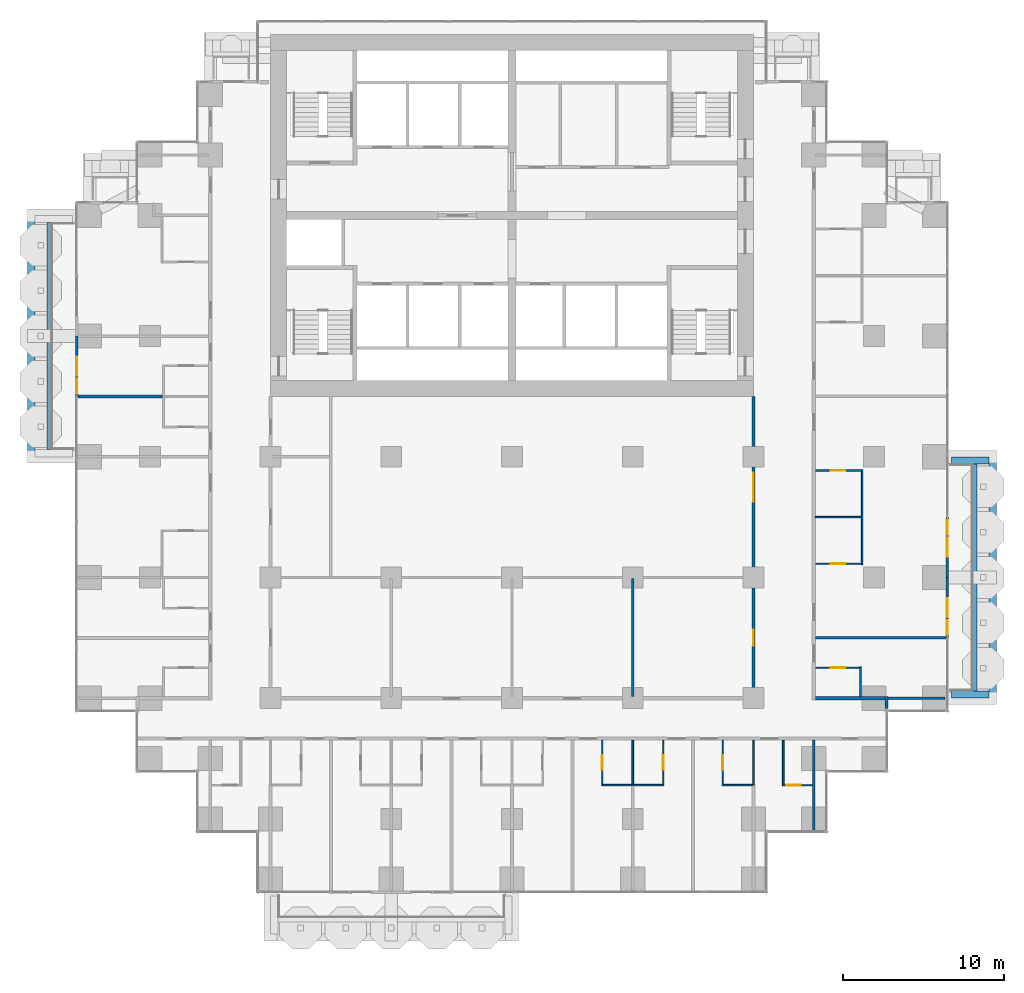
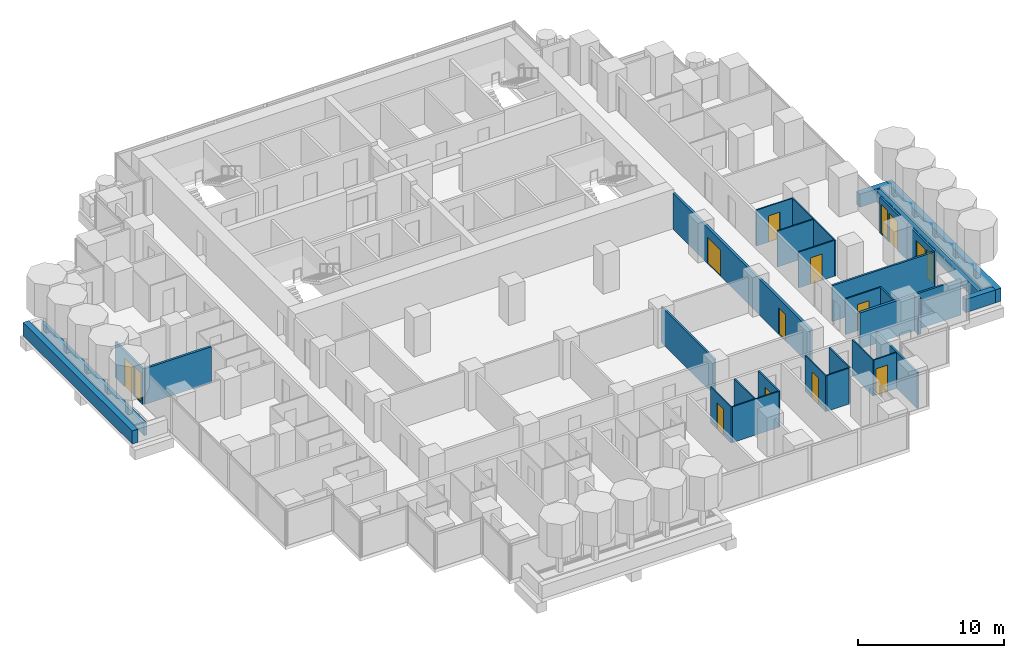
# One storey, part 12 of 19: 32 walls, 12 doors, 3 windows, 15 openings.
"""IFC4 building model written with IfcOpenShell, lengths in metres."""

from ifc_helpers import new_model, si_unit, direction, frame, frame_2d, origin, place, context, subcontext, project, spatial, rectangle, extrude, material, layer, layer_set, type_object, element, fill, save


model = new_model("IFC4")

# Units and contexts
model_context = context("Model", 3, precision=1e-05, world=origin(), true_north=direction((0.0, 1.0)))
body_context = subcontext(model_context, "Body", "Model", "MODEL_VIEW")
ifc_project = project(units=[si_unit("LENGTHUNIT", "METRE"), si_unit("AREAUNIT", "SQUARE_METRE"), si_unit("VOLUMEUNIT", "CUBIC_METRE"), si_unit("PLANEANGLEUNIT", "RADIAN"), si_unit("MASSUNIT", "GRAM", prefix="KILO")], contexts=[model_context])

# Site, building, storey
site_placement = place(None, origin())
site = spatial("IfcSite", under=ifc_project, at=site_placement, CompositionType="ELEMENT")
building_placement = place(site_placement, origin())
building = spatial("IfcBuilding", under=site, at=building_placement, Name="Pilkhan Gate Tower", CompositionType="ELEMENT")
storey_placement = place(building_placement, frame((0.0, 0.0, 89.0)))
storey = spatial("IfcBuildingStorey", under=building, at=storey_placement, Name="L21", CompositionType="ELEMENT", Elevation=89.0)

# Walls
ifc_material_1 = material(Name="Dense blockwork", Category="masonry")
ifc_layer_1 = layer(ifc_material_1, 0.175048828125)
ifc_layer_set_1 = layer_set([ifc_layer_1], Name="Acoustic party wall PW175")
wall_type_1 = type_object("IfcWallType", Name="Acoustic party wall PW175", PredefinedType="PARTITIONING", material=ifc_layer_set_1)
wall_1_placement = place(storey_placement, frame((48.0400390625, 71.25, 0.0), z_axis=(0.0, 0.0, 1.0), x_axis=(1.0, 0.0, 0.0)))
element("IfcWall", 1, at=wall_1_placement, inside=storey, type_object=wall_type_1, Name="Partition L21", PredefinedType="PARTITIONING", context=body_context, shape_type="SweptSolid", body=[
    extrude(rectangle(XDim=5.260009765625, YDim=0.175048828125, at=frame_2d((2.6298828125, 0.0))), origin(), (0.0, 0.0, 1.0), 3.0),
])
ifc_material_2 = material(Name="Concrete C40/50", Category="concrete")
ifc_layer_2 = layer(ifc_material_2, 0.25)
ifc_layer_set_2 = layer_set([ifc_layer_2], Name="Balcony planter BP250")
wall_type_2 = type_object("IfcWallType", Name="Balcony planter BP250", PredefinedType="USERDEFINED", material=ifc_layer_set_2)
for number, where, z_axis, x_axis, name in (
    (2, (103.77490234375, 52.949951171875, 0.0), (0.0, 0.0, 1.0), (0.0, 1.0, 0.0), "Balcony planter L21 E"),
    (3, (46.22509765625, 67.949951171875, 0.0), (0.0, 0.0, 1.0), (0.0, 1.0, 0.0), "Balcony planter L21 W"),
):
    element("IfcWall", number, at=place(storey_placement, frame(where, z_axis=z_axis, x_axis=x_axis)), inside=storey, type_object=wall_type_2, Name=name, ObjectType="BALCONY PLANTER", PredefinedType="USERDEFINED", context=body_context, shape_type="SweptSolid", body=[
        extrude(rectangle(XDim=14.10009765625, YDim=0.25, at=frame_2d((7.050048828125, 0.0))), origin(), (0.0, 0.0, 1.0), 1.0),
    ])
ifc_material_3 = material(Name="Board-marked Concrete C40/50", Category="concrete")
ifc_layer_3 = layer(ifc_material_3, 0.449951171875)
ifc_layer_set_3 = layer_set([ifc_layer_3], Name="Balcony planter lip BL450")
wall_type_3 = type_object("IfcWallType", Name="Balcony planter lip BL450", PredefinedType="USERDEFINED", material=ifc_layer_set_3)
wall_2_placement = place(storey_placement, frame((104.875, 52.5, 0.0), z_axis=(0.0, 0.0, 1.0), x_axis=(0.0, 1.0, 0.0)))
element("IfcWall", 4, at=wall_2_placement, inside=storey, type_object=wall_type_3, Name="Balcony planter L21 E", ObjectType="BALCONY PLANTER", PredefinedType="USERDEFINED", context=body_context, shape_type="SweptSolid", body=[
    extrude(rectangle(XDim=15.0, YDim=0.449951171875, at=frame_2d((7.5, 0.0))), origin(), (0.0, 0.0, 1.0), 1.10009765625),
])
for number, where, z_axis, x_axis, name in (
    (5, (102.300048828125, 52.72509765625, 0.0), (0.0, 0.0, 1.0), (1.0, 0.0, 0.0), "Balcony planter L21 E"),
    (6, (102.300048828125, 67.27490234375, 0.0), (0.0, 0.0, 1.0), (1.0, 0.0, 0.0), "Balcony planter L21 E"),
):
    element("IfcWall", number, at=place(storey_placement, frame(where, z_axis=z_axis, x_axis=x_axis)), inside=storey, type_object=wall_type_3, Name=name, ObjectType="BALCONY PLANTER", PredefinedType="USERDEFINED", context=body_context, shape_type="SweptSolid", body=[
        extrude(rectangle(XDim=2.349853515625, YDim=0.449951171875, at=frame_2d((1.1748046875, 0.0))), origin(), (0.0, 0.0, 1.0), 1.10009765625),
    ])
wall_3_placement = place(storey_placement, frame((45.125, 67.5, 0.0), z_axis=(0.0, 0.0, 1.0), x_axis=(0.0, 1.0, 0.0)))
element("IfcWall", 7, at=wall_3_placement, inside=storey, type_object=wall_type_3, Name="Balcony planter L21 W", ObjectType="BALCONY PLANTER", PredefinedType="USERDEFINED", context=body_context, shape_type="SweptSolid", body=[
    extrude(rectangle(XDim=15.0, YDim=0.449951171875, at=frame_2d((7.5, 0.0))), origin(), (0.0, 0.0, 1.0), 1.10009765625),
])
ifc_layer_4 = layer(ifc_material_1, 0.199951171875)
ifc_layer_set_4 = layer_set([ifc_layer_4], Name="Corridor wall FW200")
wall_type_4 = type_object("IfcWallType", Name="Corridor wall FW200", PredefinedType="PARTITIONING", material=ifc_layer_set_4)
wall_4_placement = place(storey_placement, frame((93.85009765625, 52.5, 0.0), z_axis=(0.0, 0.0, 1.0), x_axis=(1.0, 0.0, 0.0)))
element("IfcWall", 8, at=wall_4_placement, inside=storey, type_object=wall_type_4, Name="Partition L21", PredefinedType="PARTITIONING", context=body_context, shape_type="SweptSolid", body=[
    extrude(rectangle(XDim=4.31494140625, YDim=0.199951171875, at=frame_2d((2.157470703125, 0.0))), origin(), (0.0, 0.0, 1.0), 3.0),
])

# Wall, openings, doors
wall_5_placement = place(storey_placement, frame((90.0, 52.39990234375, 0.0), z_axis=(0.0, 0.0, 1.0), x_axis=(0.0, 1.0, 0.0)))
wall_5 = element("IfcWall", 9, at=wall_5_placement, inside=storey, type_object=wall_type_4, Name="Partition L21", PredefinedType="PARTITIONING", context=body_context, shape_type="SweptSolid", body=[
    extrude(rectangle(XDim=18.840087890625, YDim=0.199951171875, at=frame_2d((9.419921875, 0.0))), origin(), (0.0, 0.0, 1.0), 3.0),
])
opening_1_placement = place(wall_5_placement, frame((3.35009765625, 0.0, 0.0)))
opening_1 = element("IfcOpeningElement", 10, at=opening_1_placement, cuts=wall_5, Name="Opening L21-62", PredefinedType="OPENING", context=body_context, shape_type="SweptSolid", body=[
    extrude(rectangle(XDim=1.0, YDim=2.199951171875, at=frame_2d((0.5, 1.10009765625))), frame((0.0, 0.10986328125, 0.0), z_axis=(0.0, -1.0, 0.0), x_axis=(1.0, 0.0, 0.0)), (0.0, 0.0, 1.0), 0.219970703125),
])
opening_2_placement = place(wall_5_placement, frame((12.300048828125, 0.0, 0.0)))
opening_2 = element("IfcOpeningElement", 11, at=opening_2_placement, cuts=wall_5, Name="Opening L21-65", PredefinedType="OPENING", context=body_context, shape_type="SweptSolid", body=[
    extrude(rectangle(XDim=1.800048828125, YDim=2.199951171875, at=frame_2d((0.89990234375, 1.10009765625))), frame((0.0, 0.10986328125, 0.0), z_axis=(0.0, -1.0, 0.0), x_axis=(1.0, 0.0, 0.0)), (0.0, 0.0, 1.0), 0.219970703125),
])
ifc_material_4 = material(Name="Timber glazed double door, 30 minute fire resisting", Category="wood")
door_type_1 = type_object("IfcDoorType", Name="Double door D04 1800x2200", OperationType="DOUBLE_DOOR_SINGLE_SWING", PredefinedType="DOOR", material=ifc_material_4)
door_1_placement = place(opening_2_placement, origin())
door_1 = element("IfcDoor", 12, at=door_1_placement, inside=storey, type_object=door_type_1, Name="Double door", OperationType="DOUBLE_DOOR_SINGLE_SWING", OverallHeight=2.199951171875, OverallWidth=1.800048828125, PredefinedType="DOOR", context=body_context, shape_type="SweptSolid", body=[
    extrude(rectangle(XDim=1.800048828125, YDim=2.199951171875, at=frame_2d((0.89990234375, 1.10009765625))), frame((0.0, 0.02490234375, 0.0), z_axis=(0.0, -1.0, 0.0), x_axis=(1.0, 0.0, 0.0)), (0.0, 0.0, 1.0), 0.050048828125),
])
fill(opening_2, door_1)
ifc_material_5 = material(Name="Timber flush door, 30 minute fire resisting", Category="wood")
door_type_2 = type_object("IfcDoorType", Name="Room door D03 1000x2200", OperationType="SINGLE_SWING_LEFT", PredefinedType="DOOR", material=ifc_material_5)
door_2_placement = place(opening_1_placement, origin())
door_2 = element("IfcDoor", 13, at=door_2_placement, inside=storey, type_object=door_type_2, Name="Room door", OperationType="SINGLE_SWING_RIGHT", OverallHeight=2.199951171875, OverallWidth=1.0, PredefinedType="DOOR", context=body_context, shape_type="SweptSolid", body=[
    extrude(rectangle(XDim=1.0, YDim=2.199951171875, at=frame_2d((0.5, 1.10009765625))), frame((0.0, 0.02490234375, 0.0), z_axis=(0.0, -1.0, 0.0), x_axis=(1.0, 0.0, 0.0)), (0.0, 0.0, 1.0), 0.050048828125),
])
fill(opening_1, door_2)

# Wall
wall_6_placement = place(storey_placement, frame((98.264892578125, 51.85498046875, 0.0), z_axis=(0.0, 0.0, 1.0), x_axis=(0.0, 1.0, 0.0)))
element("IfcWall", 14, at=wall_6_placement, inside=storey, type_object=wall_type_4, Name="Partition L21", PredefinedType="PARTITIONING", context=body_context, shape_type="SweptSolid", body=[
    extrude(rectangle(XDim=0.7451171875, YDim=0.199951171875, at=frame_2d((0.37255859375, 0.0))), origin(), (0.0, 0.0, 1.0), 3.0),
])

# Wall, openings, door, window
ifc_material_6 = material(Name="Pale anodised aluminium, clear laminated glazing", Category="aluminium")
ifc_layer_5 = layer(ifc_material_6, 0.14990234375)
ifc_layer_set_5 = layer_set([ifc_layer_5], Name="Facade infill wall IW150")
wall_type_5 = type_object("IfcWallType", Name="Facade infill wall IW150", PredefinedType="SOLIDWALL", material=ifc_layer_set_5)
wall_7_placement = place(storey_placement, frame((102.044921875, 56.25, 0.0), z_axis=(0.0, 0.0, 1.0), x_axis=(0.0, 1.0, 0.0)))
wall_7 = element("IfcWall", 15, at=wall_7_placement, inside=storey, type_object=wall_type_5, Name="Infill wall L21 E", PredefinedType="SOLIDWALL", context=body_context, shape_type="SweptSolid", body=[
    extrude(rectangle(XDim=3.75, YDim=0.14990234375, at=frame_2d((1.875, 0.0))), origin(), (0.0, 0.0, 1.0), 3.0),
])
opening_3_placement = place(wall_7_placement, frame((0.1875, 0.0, 0.10009765625)))
opening_3 = element("IfcOpeningElement", 16, at=opening_3_placement, cuts=wall_7, Name="Opening W1", PredefinedType="OPENING", context=body_context, shape_type="SweptSolid", body=[
    extrude(rectangle(XDim=0.89990234375, YDim=2.39990234375, at=frame_2d((0.449951171875, 1.199951171875))), frame((0.0, 0.0849609375, 0.0), z_axis=(0.0, -1.0, 0.0), x_axis=(1.0, 0.0, 0.0)), (0.0, 0.0, 1.0), 0.169921875),
])
opening_4_placement = place(wall_7_placement, frame((1.27490234375, 0.0, 0.0)))
opening_4 = element("IfcOpeningElement", 17, at=opening_4_placement, cuts=wall_7, Name="Opening D1", PredefinedType="OPENING", context=body_context, shape_type="SweptSolid", body=[
    extrude(rectangle(XDim=1.199951171875, YDim=2.39990234375, at=frame_2d((0.60009765625, 1.199951171875))), frame((0.0, 0.0849609375, 0.0), z_axis=(0.0, -1.0, 0.0), x_axis=(1.0, 0.0, 0.0)), (0.0, 0.0, 1.0), 0.169921875),
])
ifc_material_7 = material(Name="Pale anodised aluminium, clear glazing", Category="aluminium")
door_type_3 = type_object("IfcDoorType", Name="Balcony door D1 1200x2400", OperationType="SINGLE_SWING_LEFT", PredefinedType="DOOR", material=ifc_material_7)
door_3_placement = place(opening_4_placement, origin())
door_3 = element("IfcDoor", 18, at=door_3_placement, inside=storey, type_object=door_type_3, Name="Balcony door L21", OperationType="SINGLE_SWING_LEFT", OverallHeight=2.39990234375, OverallWidth=1.199951171875, PredefinedType="DOOR", context=body_context, shape_type="SweptSolid", body=[
    extrude(rectangle(XDim=1.199951171875, YDim=2.39990234375, at=frame_2d((0.60009765625, 1.199951171875))), frame((0.0, 0.02490234375, 0.0), z_axis=(0.0, -1.0, 0.0), x_axis=(1.0, 0.0, 0.0)), (0.0, 0.0, 1.0), 0.050048828125),
])
fill(opening_4, door_3)
ifc_material_8 = material(Name="Pale anodised aluminium, clear double glazing", Category="aluminium")
window_type = type_object("IfcWindowType", Name="Window W1 900x2400", PartitioningType="SINGLE_PANEL", PredefinedType="WINDOW", material=ifc_material_8)
window_1_placement = place(opening_3_placement, origin())
window_1 = element("IfcWindow", 19, at=window_1_placement, inside=storey, type_object=window_type, Name="Window L21", OverallHeight=2.39990234375, OverallWidth=0.89990234375, PartitioningType="SINGLE_PANEL", PredefinedType="WINDOW", context=body_context, shape_type="SweptSolid", body=[
    extrude(rectangle(XDim=0.89990234375, YDim=2.39990234375, at=frame_2d((0.449951171875, 1.199951171875))), frame((0.0, 0.030029296875, 0.0), z_axis=(0.0, -1.0, 0.0), x_axis=(1.0, 0.0, 0.0)), (0.0, 0.0, 1.0), 0.06005859375),
])
fill(opening_3, window_1)

wall_8_placement = place(storey_placement, frame((102.044921875, 60.0, 0.0), z_axis=(0.0, 0.0, 1.0), x_axis=(0.0, 1.0, 0.0)))
wall_8 = element("IfcWall", 20, at=wall_8_placement, inside=storey, type_object=wall_type_5, Name="Infill wall L21 E", PredefinedType="SOLIDWALL", context=body_context, shape_type="SweptSolid", body=[
    extrude(rectangle(XDim=3.75, YDim=0.14990234375, at=frame_2d((1.875, 0.0))), origin(), (0.0, 0.0, 1.0), 3.0),
])
opening_5_placement = place(wall_8_placement, frame((1.27490234375, 0.0, 0.0)))
opening_5 = element("IfcOpeningElement", 21, at=opening_5_placement, cuts=wall_8, Name="Opening D1", PredefinedType="OPENING", context=body_context, shape_type="SweptSolid", body=[
    extrude(rectangle(XDim=1.199951171875, YDim=2.39990234375, at=frame_2d((0.60009765625, 1.199951171875))), frame((0.0, 0.0849609375, 0.0), z_axis=(0.0, -1.0, 0.0), x_axis=(1.0, 0.0, 0.0)), (0.0, 0.0, 1.0), 0.169921875),
])
opening_6_placement = place(wall_8_placement, frame((2.66259765625, 0.0, 0.10009765625)))
opening_6 = element("IfcOpeningElement", 22, at=opening_6_placement, cuts=wall_8, Name="Opening W1", PredefinedType="OPENING", context=body_context, shape_type="SweptSolid", body=[
    extrude(rectangle(XDim=0.89990234375, YDim=2.39990234375, at=frame_2d((0.449951171875, 1.199951171875))), frame((0.0, 0.0849609375, 0.0), z_axis=(0.0, -1.0, 0.0), x_axis=(1.0, 0.0, 0.0)), (0.0, 0.0, 1.0), 0.169921875),
])
door_4_placement = place(opening_5_placement, origin())
door_4 = element("IfcDoor", 23, at=door_4_placement, inside=storey, type_object=door_type_3, Name="Balcony door L21", OperationType="SINGLE_SWING_LEFT", OverallHeight=2.39990234375, OverallWidth=1.199951171875, PredefinedType="DOOR", context=body_context, shape_type="SweptSolid", body=[
    extrude(rectangle(XDim=1.199951171875, YDim=2.39990234375, at=frame_2d((0.60009765625, 1.199951171875))), frame((0.0, 0.02490234375, 0.0), z_axis=(0.0, -1.0, 0.0), x_axis=(1.0, 0.0, 0.0)), (0.0, 0.0, 1.0), 0.050048828125),
])
fill(opening_5, door_4)
window_2_placement = place(opening_6_placement, origin())
window_2 = element("IfcWindow", 24, at=window_2_placement, inside=storey, type_object=window_type, Name="Window L21", OverallHeight=2.39990234375, OverallWidth=0.89990234375, PartitioningType="SINGLE_PANEL", PredefinedType="WINDOW", context=body_context, shape_type="SweptSolid", body=[
    extrude(rectangle(XDim=0.89990234375, YDim=2.39990234375, at=frame_2d((0.449951171875, 1.199951171875))), frame((0.0, 0.030029296875, 0.0), z_axis=(0.0, -1.0, 0.0), x_axis=(1.0, 0.0, 0.0)), (0.0, 0.0, 1.0), 0.06005859375),
])
fill(opening_6, window_2)

wall_9_placement = place(storey_placement, frame((47.955078125, 71.25, 0.0), z_axis=(0.0, 0.0, 1.0), x_axis=(0.0, 1.0, 0.0)))
wall_9 = element("IfcWall", 25, at=wall_9_placement, inside=storey, type_object=wall_type_5, Name="Infill wall L21 W", PredefinedType="SOLIDWALL", context=body_context, shape_type="SweptSolid", body=[
    extrude(rectangle(XDim=3.75, YDim=0.14990234375, at=frame_2d((1.875, 0.0))), origin(), (0.0, 0.0, 1.0), 3.0),
])
opening_7_placement = place(wall_9_placement, frame((0.1875, 0.0, 0.10009765625)))
opening_7 = element("IfcOpeningElement", 26, at=opening_7_placement, cuts=wall_9, Name="Opening W1", PredefinedType="OPENING", context=body_context, shape_type="SweptSolid", body=[
    extrude(rectangle(XDim=0.89990234375, YDim=2.39990234375, at=frame_2d((0.449951171875, 1.199951171875))), frame((0.0, 0.0849609375, 0.0), z_axis=(0.0, -1.0, 0.0), x_axis=(1.0, 0.0, 0.0)), (0.0, 0.0, 1.0), 0.169921875),
])
opening_8_placement = place(wall_9_placement, frame((1.27490234375, 0.0, 0.0)))
opening_8 = element("IfcOpeningElement", 27, at=opening_8_placement, cuts=wall_9, Name="Opening D1", PredefinedType="OPENING", context=body_context, shape_type="SweptSolid", body=[
    extrude(rectangle(XDim=1.199951171875, YDim=2.39990234375, at=frame_2d((0.60009765625, 1.199951171875))), frame((0.0, 0.0849609375, 0.0), z_axis=(0.0, -1.0, 0.0), x_axis=(1.0, 0.0, 0.0)), (0.0, 0.0, 1.0), 0.169921875),
])
door_5_placement = place(opening_8_placement, origin())
door_5 = element("IfcDoor", 28, at=door_5_placement, inside=storey, type_object=door_type_3, Name="Balcony door L21", OperationType="SINGLE_SWING_LEFT", OverallHeight=2.39990234375, OverallWidth=1.199951171875, PredefinedType="DOOR", context=body_context, shape_type="SweptSolid", body=[
    extrude(rectangle(XDim=1.199951171875, YDim=2.39990234375, at=frame_2d((0.60009765625, 1.199951171875))), frame((0.0, 0.02490234375, 0.0), z_axis=(0.0, -1.0, 0.0), x_axis=(1.0, 0.0, 0.0)), (0.0, 0.0, 1.0), 0.050048828125),
])
fill(opening_8, door_5)
window_3_placement = place(opening_7_placement, origin())
window_3 = element("IfcWindow", 29, at=window_3_placement, inside=storey, type_object=window_type, Name="Window L21", OverallHeight=2.39990234375, OverallWidth=0.89990234375, PartitioningType="SINGLE_PANEL", PredefinedType="WINDOW", context=body_context, shape_type="SweptSolid", body=[
    extrude(rectangle(XDim=0.89990234375, YDim=2.39990234375, at=frame_2d((0.449951171875, 1.199951171875))), frame((0.0, 0.030029296875, 0.0), z_axis=(0.0, -1.0, 0.0), x_axis=(1.0, 0.0, 0.0)), (0.0, 0.0, 1.0), 0.06005859375),
])
fill(opening_7, window_3)

# Walls
ifc_material_9 = material(Name="Blockwork partition, plastered both sides", Category="masonry")
ifc_layer_6 = layer(ifc_material_9, 0.14990234375)
ifc_layer_set_6 = layer_set([ifc_layer_6], Name="Partition PW150")
wall_type_6 = type_object("IfcWallType", Name="Partition PW150", PredefinedType="PARTITIONING", material=ifc_layer_set_6)
wall_10_placement = place(storey_placement, frame((98.364990234375, 52.5, 0.0), z_axis=(0.0, 0.0, 1.0), x_axis=(1.0, 0.0, 0.0)))
element("IfcWall", 30, at=wall_10_placement, inside=storey, type_object=wall_type_6, Name="Partition L21", PredefinedType="PARTITIONING", context=body_context, shape_type="SweptSolid", body=[
    extrude(rectangle(XDim=3.530029296875, YDim=0.14990234375, at=frame_2d((1.76513671875, 0.0))), origin(), (0.0, 0.0, 1.0), 3.0),
])
wall_11_placement = place(storey_placement, frame((93.85009765625, 56.25, 0.0), z_axis=(0.0, 0.0, 1.0), x_axis=(1.0, 0.0, 0.0)))
element("IfcWall", 31, at=wall_11_placement, inside=storey, type_object=wall_type_6, Name="Partition L21", PredefinedType="PARTITIONING", context=body_context, shape_type="SweptSolid", body=[
    extrude(rectangle(XDim=8.10986328125, YDim=0.14990234375, at=frame_2d((4.054931640625, 0.0))), origin(), (0.0, 0.0, 1.0), 3.0),
])
wall_12_placement = place(storey_placement, frame((82.5, 52.60009765625, 0.0), z_axis=(0.0, 0.0, 1.0), x_axis=(0.0, 1.0, 0.0)))
element("IfcWall", 32, at=wall_12_placement, inside=storey, type_object=wall_type_6, Name="Partition L21", PredefinedType="PARTITIONING", context=body_context, shape_type="SweptSolid", body=[
    extrude(rectangle(XDim=7.324951171875, YDim=0.14990234375, at=frame_2d((3.66259765625, 0.0))), origin(), (0.0, 0.0, 1.0), 3.0),
])
wall_13_placement = place(storey_placement, frame((93.75, 44.235107421875, 0.0), z_axis=(0.0, 0.0, 1.0), x_axis=(0.0, 1.0, 0.0)))
element("IfcWall", 33, at=wall_13_placement, inside=storey, type_object=wall_type_6, Name="Partition L21", PredefinedType="PARTITIONING", context=body_context, shape_type="SweptSolid", body=[
    extrude(rectangle(XDim=5.664794921875, YDim=0.14990234375, at=frame_2d((2.83251953125, 0.0))), origin(), (0.0, 0.0, 1.0), 3.0),
])
ifc_material_10 = material(Name="Moisture resistant board, tiled")
ifc_layer_7 = layer(ifc_material_10, 0.10009765625)
ifc_layer_set_7 = layer_set([ifc_layer_7], Name="Wet wall PW100")
wall_type_7 = type_object("IfcWallType", Name="Wet wall PW100", PredefinedType="PARTITIONING", material=ifc_layer_set_7)
wall_14_placement = place(storey_placement, frame((80.64990234375, 47.10009765625, 0.0), z_axis=(0.0, 0.0, 1.0), x_axis=(1.0, 0.0, 0.0)))
element("IfcWall", 34, at=wall_14_placement, inside=storey, type_object=wall_type_7, Name="Partition L21", PredefinedType="PARTITIONING", context=body_context, shape_type="SweptSolid", body=[
    extrude(rectangle(XDim=3.7001953125, YDim=0.10009765625, at=frame_2d((1.85009765625, 0.0))), origin(), (0.0, 0.0, 1.0), 3.0),
])
wall_15_placement = place(storey_placement, frame((88.14990234375, 47.10009765625, 0.0), z_axis=(0.0, 0.0, 1.0), x_axis=(1.0, 0.0, 0.0)))
element("IfcWall", 35, at=wall_15_placement, inside=storey, type_object=wall_type_7, Name="Partition L21", PredefinedType="PARTITIONING", context=body_context, shape_type="SweptSolid", body=[
    extrude(rectangle(XDim=1.76220703125, YDim=0.10009765625, at=frame_2d((0.881103515625, 0.0))), origin(), (0.0, 0.0, 1.0), 3.0),
])

# Wall, opening, door
wall_16_placement = place(storey_placement, frame((91.89990234375, 47.10009765625, 0.0), z_axis=(0.0, 0.0, 1.0), x_axis=(1.0, 0.0, 0.0)))
wall_16 = element("IfcWall", 36, at=wall_16_placement, inside=storey, type_object=wall_type_7, Name="Partition L21", PredefinedType="PARTITIONING", context=body_context, shape_type="SweptSolid", body=[
    extrude(rectangle(XDim=1.775146484375, YDim=0.10009765625, at=frame_2d((0.8876953125, 0.0))), origin(), (0.0, 0.0, 1.0), 3.0),
])
opening_9_placement = place(wall_16_placement, frame((0.14990234375, 0.0, 0.0)))
opening_9 = element("IfcOpeningElement", 37, at=opening_9_placement, cuts=wall_16, Name="Opening L21-25", PredefinedType="OPENING", context=body_context, shape_type="SweptSolid", body=[
    extrude(rectangle(XDim=0.89990234375, YDim=2.199951171875, at=frame_2d((0.449951171875, 1.10009765625))), frame((0.0, 0.06005859375, 0.0), z_axis=(0.0, -1.0, 0.0), x_axis=(1.0, 0.0, 0.0)), (0.0, 0.0, 1.0), 0.1201171875),
])
ifc_material_11 = material(Name="Timber flush door", Category="wood")
door_type_4 = type_object("IfcDoorType", Name="Bathroom door D02 900x2200", OperationType="SINGLE_SWING_RIGHT", PredefinedType="DOOR", material=ifc_material_11)
door_6_placement = place(opening_9_placement, origin())
door_6 = element("IfcDoor", 38, at=door_6_placement, inside=storey, type_object=door_type_4, Name="Bathroom door", OperationType="SINGLE_SWING_RIGHT", OverallHeight=2.199951171875, OverallWidth=0.89990234375, PredefinedType="DOOR", context=body_context, shape_type="SweptSolid", body=[
    extrude(rectangle(XDim=0.89990234375, YDim=2.199951171875, at=frame_2d((0.449951171875, 1.10009765625))), frame((0.0, 0.02490234375, 0.0), z_axis=(0.0, -1.0, 0.0), x_axis=(1.0, 0.0, 0.0)), (0.0, 0.0, 1.0), 0.050048828125),
])
fill(opening_9, door_6)

wall_17_placement = place(storey_placement, frame((93.85009765625, 54.39990234375, 0.0), z_axis=(0.0, 0.0, 1.0), x_axis=(1.0, 0.0, 0.0)))
wall_17 = element("IfcWall", 39, at=wall_17_placement, inside=storey, type_object=wall_type_7, Name="Partition L21", PredefinedType="PARTITIONING", context=body_context, shape_type="SweptSolid", body=[
    extrude(rectangle(XDim=2.75, YDim=0.10009765625, at=frame_2d((1.375, 0.0))), origin(), (0.0, 0.0, 1.0), 3.0),
])
opening_10_placement = place(wall_17_placement, frame((0.949951171875, 0.0, 0.0)))
opening_10 = element("IfcOpeningElement", 40, at=opening_10_placement, cuts=wall_17, Name="Opening L21-39", PredefinedType="OPENING", context=body_context, shape_type="SweptSolid", body=[
    extrude(rectangle(XDim=0.89990234375, YDim=2.199951171875, at=frame_2d((0.449951171875, 1.10009765625))), frame((0.0, 0.06005859375, 0.0), z_axis=(0.0, -1.0, 0.0), x_axis=(1.0, 0.0, 0.0)), (0.0, 0.0, 1.0), 0.1201171875),
])
door_7_placement = place(opening_10_placement, origin())
door_7 = element("IfcDoor", 41, at=door_7_placement, inside=storey, type_object=door_type_4, Name="Bathroom door", OperationType="SINGLE_SWING_RIGHT", OverallHeight=2.199951171875, OverallWidth=0.89990234375, PredefinedType="DOOR", context=body_context, shape_type="SweptSolid", body=[
    extrude(rectangle(XDim=0.89990234375, YDim=2.199951171875, at=frame_2d((0.449951171875, 1.10009765625))), frame((0.0, 0.02490234375, 0.0), z_axis=(0.0, -1.0, 0.0), x_axis=(1.0, 0.0, 0.0)), (0.0, 0.0, 1.0), 0.050048828125),
])
fill(opening_10, door_7)

wall_18_placement = place(storey_placement, frame((93.85009765625, 60.85009765625, 0.0), z_axis=(0.0, 0.0, 1.0), x_axis=(1.0, 0.0, 0.0)))
wall_18 = element("IfcWall", 42, at=wall_18_placement, inside=storey, type_object=wall_type_7, Name="Partition L21", PredefinedType="PARTITIONING", context=body_context, shape_type="SweptSolid", body=[
    extrude(rectangle(XDim=2.849853515625, YDim=0.10009765625, at=frame_2d((1.4248046875, 0.0))), origin(), (0.0, 0.0, 1.0), 3.0),
])
opening_11_placement = place(wall_18_placement, frame((0.949951171875, 0.0, 0.0)))
opening_11 = element("IfcOpeningElement", 43, at=opening_11_placement, cuts=wall_18, Name="Opening L21-41", PredefinedType="OPENING", context=body_context, shape_type="SweptSolid", body=[
    extrude(rectangle(XDim=0.89990234375, YDim=2.199951171875, at=frame_2d((0.449951171875, 1.10009765625))), frame((0.0, 0.06005859375, 0.0), z_axis=(0.0, -1.0, 0.0), x_axis=(1.0, 0.0, 0.0)), (0.0, 0.0, 1.0), 0.1201171875),
])
door_8_placement = place(opening_11_placement, origin())
door_8 = element("IfcDoor", 44, at=door_8_placement, inside=storey, type_object=door_type_4, Name="Bathroom door", OperationType="SINGLE_SWING_RIGHT", OverallHeight=2.199951171875, OverallWidth=0.89990234375, PredefinedType="DOOR", context=body_context, shape_type="SweptSolid", body=[
    extrude(rectangle(XDim=0.89990234375, YDim=2.199951171875, at=frame_2d((0.449951171875, 1.10009765625))), frame((0.0, 0.02490234375, 0.0), z_axis=(0.0, -1.0, 0.0), x_axis=(1.0, 0.0, 0.0)), (0.0, 0.0, 1.0), 0.050048828125),
])
fill(opening_11, door_8)

# Wall
wall_19_placement = place(storey_placement, frame((93.85009765625, 63.75, 0.0), z_axis=(0.0, 0.0, 1.0), x_axis=(1.0, 0.0, 0.0)))
element("IfcWall", 45, at=wall_19_placement, inside=storey, type_object=wall_type_7, Name="Partition L21", PredefinedType="PARTITIONING", context=body_context, shape_type="SweptSolid", body=[
    extrude(rectangle(XDim=2.849853515625, YDim=0.10009765625, at=frame_2d((1.4248046875, 0.0))), origin(), (0.0, 0.0, 1.0), 3.0),
])

# Wall, opening, door
wall_20_placement = place(storey_placement, frame((93.85009765625, 66.64990234375, 0.0), z_axis=(0.0, 0.0, 1.0), x_axis=(1.0, 0.0, 0.0)))
wall_20 = element("IfcWall", 46, at=wall_20_placement, inside=storey, type_object=wall_type_7, Name="Partition L21", PredefinedType="PARTITIONING", context=body_context, shape_type="SweptSolid", body=[
    extrude(rectangle(XDim=2.849853515625, YDim=0.10009765625, at=frame_2d((1.4248046875, 0.0))), origin(), (0.0, 0.0, 1.0), 3.0),
])
opening_12_placement = place(wall_20_placement, frame((0.949951171875, 0.0, 0.0)))
opening_12 = element("IfcOpeningElement", 47, at=opening_12_placement, cuts=wall_20, Name="Opening L21-43", PredefinedType="OPENING", context=body_context, shape_type="SweptSolid", body=[
    extrude(rectangle(XDim=0.89990234375, YDim=2.199951171875, at=frame_2d((0.449951171875, 1.10009765625))), frame((0.0, 0.06005859375, 0.0), z_axis=(0.0, -1.0, 0.0), x_axis=(1.0, 0.0, 0.0)), (0.0, 0.0, 1.0), 0.1201171875),
])
door_9_placement = place(opening_12_placement, origin())
door_9 = element("IfcDoor", 48, at=door_9_placement, inside=storey, type_object=door_type_4, Name="Bathroom door", OperationType="SINGLE_SWING_RIGHT", OverallHeight=2.199951171875, OverallWidth=0.89990234375, PredefinedType="DOOR", context=body_context, shape_type="SweptSolid", body=[
    extrude(rectangle(XDim=0.89990234375, YDim=2.199951171875, at=frame_2d((0.449951171875, 1.10009765625))), frame((0.0, 0.02490234375, 0.0), z_axis=(0.0, -1.0, 0.0), x_axis=(1.0, 0.0, 0.0)), (0.0, 0.0, 1.0), 0.050048828125),
])
fill(opening_12, door_9)

wall_21_placement = place(storey_placement, frame((80.60009765625, 47.050048828125, 0.0), z_axis=(0.0, 0.0, 1.0), x_axis=(0.0, 1.0, 0.0)))
wall_21 = element("IfcWall", 49, at=wall_21_placement, inside=storey, type_object=wall_type_7, Name="Partition L21", PredefinedType="PARTITIONING", context=body_context, shape_type="SweptSolid", body=[
    extrude(rectangle(XDim=2.849853515625, YDim=0.10009765625, at=frame_2d((1.4248046875, 0.0))), origin(), (0.0, 0.0, 1.0), 3.0),
])
opening_13_placement = place(wall_21_placement, frame((1.0, 0.0, 0.0)))
opening_13 = element("IfcOpeningElement", 50, at=opening_13_placement, cuts=wall_21, Name="Opening L21-19", PredefinedType="OPENING", context=body_context, shape_type="SweptSolid", body=[
    extrude(rectangle(XDim=0.89990234375, YDim=2.199951171875, at=frame_2d((0.449951171875, 1.10009765625))), frame((0.0, 0.06005859375, 0.0), z_axis=(0.0, -1.0, 0.0), x_axis=(1.0, 0.0, 0.0)), (0.0, 0.0, 1.0), 0.1201171875),
])
door_10_placement = place(opening_13_placement, origin())
door_10 = element("IfcDoor", 51, at=door_10_placement, inside=storey, type_object=door_type_4, Name="Bathroom door", OperationType="SINGLE_SWING_RIGHT", OverallHeight=2.199951171875, OverallWidth=0.89990234375, PredefinedType="DOOR", context=body_context, shape_type="SweptSolid", body=[
    extrude(rectangle(XDim=0.89990234375, YDim=2.199951171875, at=frame_2d((0.449951171875, 1.10009765625))), frame((0.0, 0.02490234375, 0.0), z_axis=(0.0, -1.0, 0.0), x_axis=(1.0, 0.0, 0.0)), (0.0, 0.0, 1.0), 0.050048828125),
])
fill(opening_13, door_10)

# Wall
wall_22_placement = place(storey_placement, frame((82.5, 47.14990234375, 0.0), z_axis=(0.0, 0.0, 1.0), x_axis=(0.0, 1.0, 0.0)))
element("IfcWall", 52, at=wall_22_placement, inside=storey, type_object=wall_type_7, Name="Partition L21", PredefinedType="PARTITIONING", context=body_context, shape_type="SweptSolid", body=[
    extrude(rectangle(XDim=2.75, YDim=0.10009765625, at=frame_2d((1.375, 0.0))), origin(), (0.0, 0.0, 1.0), 3.0),
])

# Wall, opening, door
wall_23_placement = place(storey_placement, frame((84.39990234375, 47.050048828125, 0.0), z_axis=(0.0, 0.0, 1.0), x_axis=(0.0, 1.0, 0.0)))
wall_23 = element("IfcWall", 53, at=wall_23_placement, inside=storey, type_object=wall_type_7, Name="Partition L21", PredefinedType="PARTITIONING", context=body_context, shape_type="SweptSolid", body=[
    extrude(rectangle(XDim=2.849853515625, YDim=0.10009765625, at=frame_2d((1.4248046875, 0.0))), origin(), (0.0, 0.0, 1.0), 3.0),
])
opening_14_placement = place(wall_23_placement, frame((1.0, 0.0, 0.0)))
opening_14 = element("IfcOpeningElement", 54, at=opening_14_placement, cuts=wall_23, Name="Opening L21-21", PredefinedType="OPENING", context=body_context, shape_type="SweptSolid", body=[
    extrude(rectangle(XDim=0.89990234375, YDim=2.199951171875, at=frame_2d((0.449951171875, 1.10009765625))), frame((0.0, 0.06005859375, 0.0), z_axis=(0.0, -1.0, 0.0), x_axis=(1.0, 0.0, 0.0)), (0.0, 0.0, 1.0), 0.1201171875),
])
door_11_placement = place(opening_14_placement, origin())
door_11 = element("IfcDoor", 55, at=door_11_placement, inside=storey, type_object=door_type_4, Name="Bathroom door", OperationType="SINGLE_SWING_RIGHT", OverallHeight=2.199951171875, OverallWidth=0.89990234375, PredefinedType="DOOR", context=body_context, shape_type="SweptSolid", body=[
    extrude(rectangle(XDim=0.89990234375, YDim=2.199951171875, at=frame_2d((0.449951171875, 1.10009765625))), frame((0.0, 0.02490234375, 0.0), z_axis=(0.0, -1.0, 0.0), x_axis=(1.0, 0.0, 0.0)), (0.0, 0.0, 1.0), 0.050048828125),
])
fill(opening_14, door_11)

wall_24_placement = place(storey_placement, frame((88.10009765625, 47.050048828125, 0.0), z_axis=(0.0, 0.0, 1.0), x_axis=(0.0, 1.0, 0.0)))
wall_24 = element("IfcWall", 56, at=wall_24_placement, inside=storey, type_object=wall_type_7, Name="Partition L21", PredefinedType="PARTITIONING", context=body_context, shape_type="SweptSolid", body=[
    extrude(rectangle(XDim=2.849853515625, YDim=0.10009765625, at=frame_2d((1.4248046875, 0.0))), origin(), (0.0, 0.0, 1.0), 3.0),
])
opening_15_placement = place(wall_24_placement, frame((1.0, 0.0, 0.0)))
opening_15 = element("IfcOpeningElement", 57, at=opening_15_placement, cuts=wall_24, Name="Opening L21-23", PredefinedType="OPENING", context=body_context, shape_type="SweptSolid", body=[
    extrude(rectangle(XDim=0.89990234375, YDim=2.199951171875, at=frame_2d((0.449951171875, 1.10009765625))), frame((0.0, 0.06005859375, 0.0), z_axis=(0.0, -1.0, 0.0), x_axis=(1.0, 0.0, 0.0)), (0.0, 0.0, 1.0), 0.1201171875),
])
door_12_placement = place(opening_15_placement, origin())
door_12 = element("IfcDoor", 58, at=door_12_placement, inside=storey, type_object=door_type_4, Name="Bathroom door", OperationType="SINGLE_SWING_RIGHT", OverallHeight=2.199951171875, OverallWidth=0.89990234375, PredefinedType="DOOR", context=body_context, shape_type="SweptSolid", body=[
    extrude(rectangle(XDim=0.89990234375, YDim=2.199951171875, at=frame_2d((0.449951171875, 1.10009765625))), frame((0.0, 0.02490234375, 0.0), z_axis=(0.0, -1.0, 0.0), x_axis=(1.0, 0.0, 0.0)), (0.0, 0.0, 1.0), 0.050048828125),
])
fill(opening_15, door_12)

# Walls
wall_25_placement = place(storey_placement, frame((90.0, 47.10009765625, 0.0), z_axis=(0.0, 0.0, 1.0), x_axis=(0.0, 1.0, 0.0)))
element("IfcWall", 59, at=wall_25_placement, inside=storey, type_object=wall_type_7, Name="Partition L21", PredefinedType="PARTITIONING", context=body_context, shape_type="SweptSolid", body=[
    extrude(rectangle(XDim=2.7998046875, YDim=0.10009765625, at=frame_2d((1.39990234375, 0.0))), origin(), (0.0, 0.0, 1.0), 3.0),
])
wall_26_placement = place(storey_placement, frame((91.85009765625, 47.050048828125, 0.0), z_axis=(0.0, 0.0, 1.0), x_axis=(0.0, 1.0, 0.0)))
element("IfcWall", 60, at=wall_26_placement, inside=storey, type_object=wall_type_7, Name="Partition L21", PredefinedType="PARTITIONING", context=body_context, shape_type="SweptSolid", body=[
    extrude(rectangle(XDim=2.849853515625, YDim=0.10009765625, at=frame_2d((1.4248046875, 0.0))), origin(), (0.0, 0.0, 1.0), 3.0),
])
wall_27_placement = place(storey_placement, frame((96.64990234375, 52.60009765625, 0.0), z_axis=(0.0, 0.0, 1.0), x_axis=(0.0, 1.0, 0.0)))
element("IfcWall", 61, at=wall_27_placement, inside=storey, type_object=wall_type_7, Name="Partition L21", PredefinedType="PARTITIONING", context=body_context, shape_type="SweptSolid", body=[
    extrude(rectangle(XDim=1.849853515625, YDim=0.10009765625, at=frame_2d((0.9248046875, 0.0))), origin(), (0.0, 0.0, 1.0), 3.0),
])
wall_28_placement = place(storey_placement, frame((96.75, 60.800048828125, 0.0), z_axis=(0.0, 0.0, 1.0), x_axis=(0.0, 1.0, 0.0)))
element("IfcWall", 62, at=wall_28_placement, inside=storey, type_object=wall_type_7, Name="Partition L21", PredefinedType="PARTITIONING", context=body_context, shape_type="SweptSolid", body=[
    extrude(rectangle(XDim=5.89990234375, YDim=0.10009765625, at=frame_2d((2.949951171875, 0.0))), origin(), (0.0, 0.0, 1.0), 3.0),
])

save(model, "model.ifc")
